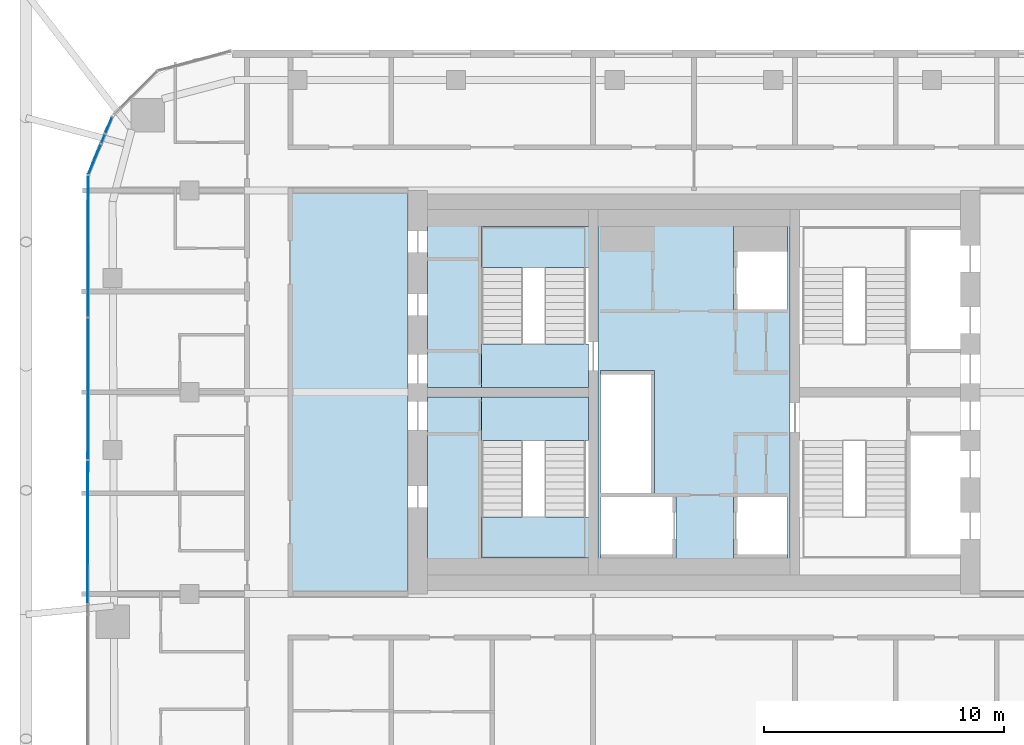
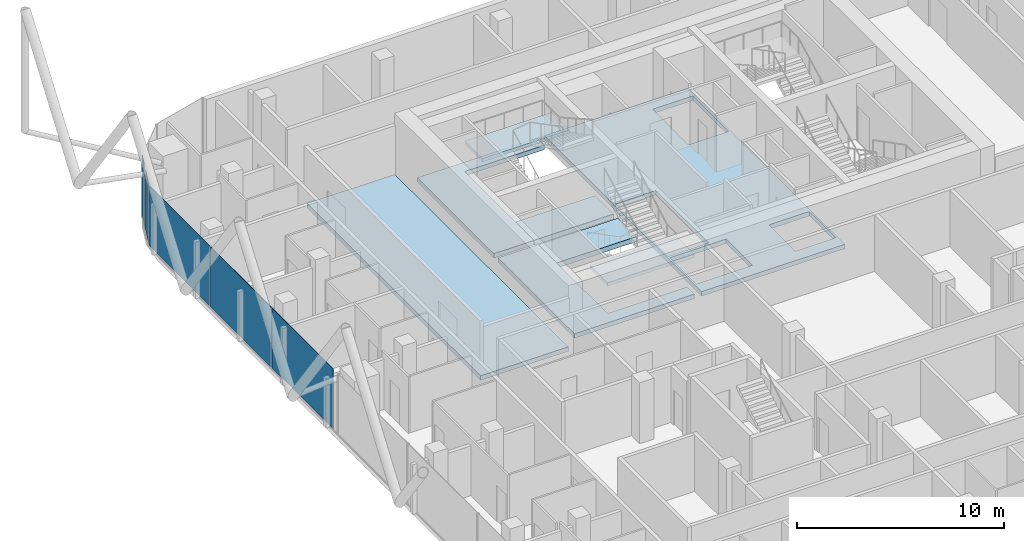
# One storey, part 19 of 31: 8 slabs, 6 plates, 6 elements without a shape of their own.
"""IFC4 building model written with IfcOpenShell, lengths in metres."""

from ifc_helpers import new_model, si_unit, direction, frame, origin, origin_2d, place, context, subcontext, project, spatial, polyline, rectangle, outline, extrude, material, layer, layer_set, type_object, element, aggregate, save


model = new_model("IFC4")

# Units and contexts
model_context = context("Model", 3, precision=1e-05, world=origin(), true_north=direction((0.0, 1.0)))
body_context = subcontext(model_context, "Body", "Model", "MODEL_VIEW")
ifc_project = project(units=[si_unit("LENGTHUNIT", "METRE"), si_unit("AREAUNIT", "SQUARE_METRE"), si_unit("VOLUMEUNIT", "CUBIC_METRE"), si_unit("PLANEANGLEUNIT", "RADIAN"), si_unit("MASSUNIT", "GRAM", prefix="KILO")], contexts=[model_context])

# Site, building, storey
site_placement = place(None, origin())
site = spatial("IfcSite", under=ifc_project, at=site_placement, CompositionType="ELEMENT")
building_placement = place(site_placement, origin())
building = spatial("IfcBuilding", under=site, at=building_placement, Name="Marenta Gate Hotel Tower", CompositionType="ELEMENT")
storey_placement = place(building_placement, frame((0.0, 0.0, 234.5)))
storey = spatial("IfcBuildingStorey", under=building, at=storey_placement, Name="L55", CompositionType="ELEMENT", Elevation=234.5)

# Slabs
ifc_material_1 = material(Name="Concrete C40", Category="concrete")
ifc_layer_1 = layer(ifc_material_1, 0.260009765625)
ifc_layer_set_1 = layer_set([ifc_layer_1], Name="Concrete C40")
slab_type_1 = type_object("IfcSlabType", Name="Core floor slab 260", PredefinedType="FLOOR", material=ifc_layer_set_1)
slab_1_placement = place(storey_placement, frame((0.0, 0.0, -0.260009765625)))
element("IfcSlab", 1, at=slab_1_placement, inside=storey, type_object=slab_type_1, Name="L55-CF-4", PredefinedType="FLOOR", context=body_context, shape_type="SweptSolid", body=[
    extrude(outline(polyline([(4.0, 15.300048828125), (4.0, 10.39990234375), (4.0, 6.39990234375), (4.0, 1.5), (4.0, 0.800048828125), (-4.0, 0.800048828125), (-4.0, 1.5), (-4.0, 6.39990234375), (-4.0, 10.39990234375), (-4.0, 15.300048828125), (-4.0, 16.0), (4.0, 16.0), (4.0, 15.300048828125)]), holes=[polyline([(1.64990234375, 14.25), (1.64990234375, 11.85009765625), (1.800048828125, 11.85009765625), (3.89990234375, 11.85009765625), (3.89990234375, 14.25), (3.89990234375, 15.300048828125), (1.64990234375, 15.300048828125), (1.64990234375, 14.25)]), polyline([(3.89990234375, 1.64990234375), (3.89990234375, 4.050048828125), (1.800048828125, 4.050048828125), (1.64990234375, 4.050048828125), (1.64990234375, 1.64990234375), (1.64990234375, 1.5), (3.89990234375, 1.5), (3.89990234375, 1.64990234375)]), polyline([(-3.89990234375, 1.64990234375), (-3.89990234375, 1.5), (-0.89990234375, 1.5), (-0.75, 1.5), (-0.75, 4.050048828125), (-0.89990234375, 4.050048828125), (-3.89990234375, 4.050048828125), (-3.89990234375, 1.64990234375)]), polyline([(-1.800048828125, 4.199951171875), (-1.64990234375, 4.199951171875), (-1.64990234375, 9.14990234375), (-1.64990234375, 9.300048828125), (-3.89990234375, 9.300048828125), (-3.89990234375, 9.14990234375), (-3.89990234375, 6.75), (-3.89990234375, 6.60009765625), (-3.89990234375, 4.199951171875), (-1.800048828125, 4.199951171875)])]), origin(), (0.0, 0.0, 1.0), 0.260009765625),
])
slab_2_placement = place(storey_placement, frame((0.0, 0.0, -0.260009765625)))
element("IfcSlab", 2, at=slab_2_placement, inside=storey, type_object=slab_type_1, Name="L55-CF-5", PredefinedType="FLOOR", context=body_context, shape_type="SweptSolid", body=[
    extrude(outline(polyline([(-8.85009765625, 8.199951171875), (-8.85009765625, 8.10009765625), (-8.85009765625, 6.39990234375), (-8.85009765625, 1.5), (-4.39990234375, 1.5), (-4.39990234375, 0.800048828125), (-11.10009765625, 0.800048828125), (-11.10009765625, 8.199951171875), (-8.85009765625, 8.199951171875)])), origin(), (0.0, 0.0, 1.0), 0.260009765625),
])
slab_3_placement = place(storey_placement, frame((0.0, 0.0, -0.260009765625)))
element("IfcSlab", 3, at=slab_3_placement, inside=storey, type_object=slab_type_1, Name="L55-CF-6", PredefinedType="FLOOR", context=body_context, shape_type="SweptSolid", body=[
    extrude(outline(polyline([(-4.39990234375, 15.300048828125), (-8.85009765625, 15.300048828125), (-8.85009765625, 10.39990234375), (-8.85009765625, 8.699951171875), (-8.85009765625, 8.60009765625), (-11.10009765625, 8.60009765625), (-11.10009765625, 16.0), (-4.39990234375, 16.0), (-4.39990234375, 15.300048828125)])), origin(), (0.0, 0.0, 1.0), 0.260009765625),
])
slab_4_placement = place(storey_placement, frame((0.0, 0.0, -0.260009765625)))
element("IfcSlab", 4, at=slab_4_placement, inside=storey, type_object=slab_type_1, Name="L55-CF-7", PredefinedType="FLOOR", context=body_context, shape_type="SweptSolid", body=[
    extrude(outline(polyline([(-11.89990234375, 16.800048828125), (-11.89990234375, 0.0), (-16.800048828125, 0.0), (-16.800048828125, 16.800048828125), (-11.89990234375, 16.800048828125)])), origin(), (0.0, 0.0, 1.0), 0.260009765625),
])

# Stair, slab
ifc_material_2 = material(Name="Concrete C40", Category="concrete")
stair_type = type_object("IfcStairType", Name="Core exit stair 1700 wide", PredefinedType="HALF_TURN_STAIR", material=ifc_material_2)
stair_1_placement = place(storey_placement, origin())
stair_1 = element("IfcStair", 5, at=stair_1_placement, inside=storey, type_object=stair_type, Name="Exit stair 1", PredefinedType="HALF_TURN_STAIR")
ifc_material_3 = material(Name="Concrete C40", Category="concrete")
ifc_layer_2 = layer(ifc_material_3, 0.199951171875)
ifc_layer_set_2 = layer_set([ifc_layer_2], Name="Concrete C40")
slab_type_2 = type_object("IfcSlabType", Name="Core stair landing 200", PredefinedType="LANDING", material=ifc_layer_set_2)
slab_5_placement = place(storey_placement, frame((0.0, 0.0, 1.60009765625)))
slab_5 = element("IfcSlab", 6, at=slab_5_placement, type_object=slab_type_2, Name="SL-200 ST1 landing 1", PredefinedType="LANDING", context=body_context, shape_type="SweptSolid", body=[
    extrude(outline(polyline([(-8.85009765625, 1.5), (-4.0, 1.5), (-4.0, 3.2099609375), (-8.85009765625, 3.2099609375), (-8.85009765625, 1.5)])), origin(), (0.0, 0.0, 1.0), 0.199951171875),
])
aggregate(stair_1, [slab_5])

stair_2_placement = place(storey_placement, origin())
stair_2 = element("IfcStair", 7, at=stair_2_placement, inside=storey, type_object=stair_type, Name="Exit stair 2", PredefinedType="HALF_TURN_STAIR")
slab_6_placement = place(storey_placement, frame((0.0, 0.0, 1.60009765625)))
slab_6 = element("IfcSlab", 8, at=slab_6_placement, type_object=slab_type_2, Name="SL-200 ST2 landing 1", PredefinedType="LANDING", context=body_context, shape_type="SweptSolid", body=[
    extrude(outline(polyline([(-8.85009765625, 13.590087890625), (-4.0, 13.590087890625), (-4.0, 15.300048828125), (-8.85009765625, 15.300048828125), (-8.85009765625, 13.590087890625)])), origin(), (0.0, 0.0, 1.0), 0.199951171875),
])
aggregate(stair_2, [slab_6])

# Curtain wall, plate
ifc_material_4 = material(Name="Tinted insulated glass in bronze anodised frame", Category="glass")
ifc_layer_3 = layer(ifc_material_4, 0.1201171875)
ifc_layer_set_3 = layer_set([ifc_layer_3], Name="Tinted insulated glass in bronze anodised frame")
curtain_wall_type = type_object("IfcCurtainWallType", Name="Tower unitised curtain wall CW1", PredefinedType="NOTDEFINED", material=ifc_layer_set_3)
curtain_wall_1_placement = place(storey_placement, origin())
curtain_wall_1 = element("IfcCurtainWall", 9, at=curtain_wall_1_placement, inside=storey, type_object=curtain_wall_type, Name="CW1 run G03", PredefinedType="NOTDEFINED")
ifc_material_5 = material(Name="Tinted insulated glass", Category="glass")
ifc_layer_4 = layer(ifc_material_5, 0.028076171875)
ifc_layer_set_4 = layer_set([ifc_layer_4], Name="Tinted insulated glass")
plate_type = type_object("IfcPlateType", Name="Glass panel CW1 28 mm tinted insulated unit", PredefinedType="CURTAIN_PANEL", material=ifc_layer_set_4)
plate_1_placement = place(storey_placement, frame((-24.3623046875, 19.5185546875, 0.06005859375), z_axis=(0.0, 0.0, 1.0), x_axis=(-0.382711777204, -0.923867791185, 0.0)))
plate_1 = element("IfcPlate", 10, at=plate_1_placement, type_object=plate_type, Name="CW1 panel 1.1", PredefinedType="CURTAIN_PANEL", context=body_context, shape_type="SweptSolid", body=[
    extrude(rectangle(XDim=0.708740234375, YDim=0.028076171875, at=origin_2d()), origin(), (0.0, 0.0, 1.0), 3.5400390625),
])
aggregate(curtain_wall_1, [plate_1])

curtain_wall_2_placement = place(storey_placement, origin())
curtain_wall_2 = element("IfcCurtainWall", 11, at=curtain_wall_2_placement, inside=storey, type_object=curtain_wall_type, Name="CW1 run G04", PredefinedType="NOTDEFINED")
plate_2_placement = place(storey_placement, frame((-24.5966796875, 18.9521484375, 0.06005859375), z_axis=(0.0, 0.0, 1.0), x_axis=(-0.382641626167, -0.923896848097, 0.0)))
plate_2 = element("IfcPlate", 12, at=plate_2_placement, type_object=plate_type, Name="CW1 panel 1.1", PredefinedType="CURTAIN_PANEL", context=body_context, shape_type="SweptSolid", body=[
    extrude(rectangle(XDim=0.397216796875, YDim=0.028076171875, at=origin_2d()), origin(), (0.0, 0.0, 1.0), 2.9404296875),
])
aggregate(curtain_wall_2, [plate_2])

curtain_wall_3_placement = place(storey_placement, origin())
curtain_wall_3 = element("IfcCurtainWall", 13, at=curtain_wall_3_placement, inside=storey, type_object=curtain_wall_type, Name="CW1 run G05", PredefinedType="NOTDEFINED")
plate_3_placement = place(storey_placement, frame((-24.9541015625, 18.08984375, 0.06005859375), z_axis=(0.0, 0.0, 1.0), x_axis=(-0.382650385627, -0.923893220226, 0.0)))
plate_3 = element("IfcPlate", 14, at=plate_3_placement, type_object=plate_type, Name="CW1 panel 1.1", PredefinedType="CURTAIN_PANEL", context=body_context, shape_type="SweptSolid", body=[
    extrude(rectangle(XDim=1.349853515625, YDim=0.028076171875, at=origin_2d()), origin(), (0.0, 0.0, 1.0), 3.5400390625),
])
aggregate(curtain_wall_3, [plate_3])

# Curtain wall, plates
curtain_wall_4_placement = place(storey_placement, origin())
curtain_wall_4 = element("IfcCurtainWall", 15, at=curtain_wall_4_placement, inside=storey, type_object=curtain_wall_type, Name="CW1 run G06", PredefinedType="NOTDEFINED")
plate_4_placement = place(storey_placement, frame((-25.217041015625, 14.478515625, 0.06005859375), z_axis=(0.0, 0.0, 1.0), x_axis=(-0.001569803969, -0.999998767857, 0.0)))
plate_4 = element("IfcPlate", 16, at=plate_4_placement, type_object=plate_type, Name="CW1 panel 1.1", PredefinedType="CURTAIN_PANEL", context=body_context, shape_type="SweptSolid", body=[
    extrude(rectangle(XDim=5.85546875, YDim=0.028076171875, at=origin_2d()), origin(), (0.0, 0.0, 1.0), 3.5400390625),
])
plate_5_placement = place(storey_placement, frame((-25.226318359375, 8.5478515625, 0.06005859375), z_axis=(0.0, 0.0, 1.0), x_axis=(-0.001569803969, -0.999998767857, 0.0)))
plate_5 = element("IfcPlate", 17, at=plate_5_placement, type_object=plate_type, Name="CW1 panel 2.1", PredefinedType="CURTAIN_PANEL", context=body_context, shape_type="SweptSolid", body=[
    extrude(rectangle(XDim=5.885498046875, YDim=0.028076171875, at=origin_2d()), origin(), (0.0, 0.0, 1.0), 3.5400390625),
])
plate_6_placement = place(storey_placement, frame((-25.235595703125, 2.58740234375, 0.06005859375), z_axis=(0.0, 0.0, 1.0), x_axis=(-0.001569803969, -0.999998767857, 0.0)))
plate_6 = element("IfcPlate", 18, at=plate_6_placement, type_object=plate_type, Name="CW1 panel 3.1", PredefinedType="CURTAIN_PANEL", context=body_context, shape_type="SweptSolid", body=[
    extrude(rectangle(XDim=5.91552734375, YDim=0.028076171875, at=origin_2d()), origin(), (0.0, 0.0, 1.0), 3.5400390625),
])
aggregate(curtain_wall_4, [plate_4, plate_5, plate_6])

# Slabs
ifc_material_6 = material(Name="Concrete C40", Category="concrete")
ifc_layer_5 = layer(ifc_material_6, 0.300048828125)
ifc_layer_set_5 = layer_set([ifc_layer_5], Name="Concrete C40")
slab_type_3 = type_object("IfcSlabType", Name="Stair floor landing slab 300", PredefinedType="FLOOR", material=ifc_layer_set_5)
slab_7_placement = place(storey_placement, frame((0.0, 0.0, -0.300048828125)))
element("IfcSlab", 19, at=slab_7_placement, inside=storey, type_object=slab_type_3, Name="L55-CL-ST1-1", PredefinedType="FLOOR", context=body_context, shape_type="SweptSolid", body=[
    extrude(outline(polyline([(-4.39990234375, 6.39990234375), (-8.85009765625, 6.39990234375), (-8.85009765625, 8.10009765625), (-8.85009765625, 8.199951171875), (-4.39990234375, 8.199951171875), (-4.39990234375, 6.39990234375)])), origin(), (0.0, 0.0, 1.0), 0.300048828125),
])
slab_8_placement = place(storey_placement, frame((0.0, 0.0, -0.300048828125)))
element("IfcSlab", 20, at=slab_8_placement, inside=storey, type_object=slab_type_3, Name="L55-CL-ST2-1", PredefinedType="FLOOR", context=body_context, shape_type="SweptSolid", body=[
    extrude(outline(polyline([(-4.39990234375, 8.60009765625), (-8.85009765625, 8.60009765625), (-8.85009765625, 8.699951171875), (-8.85009765625, 10.39990234375), (-4.39990234375, 10.39990234375), (-4.39990234375, 8.60009765625)])), origin(), (0.0, 0.0, 1.0), 0.300048828125),
])

save(model, "model.ifc")
